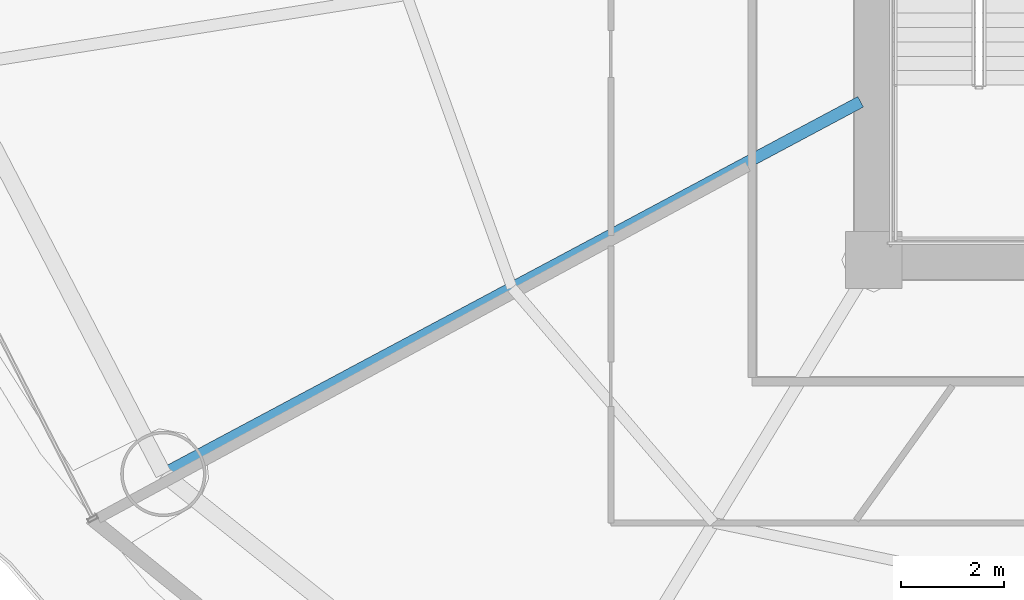
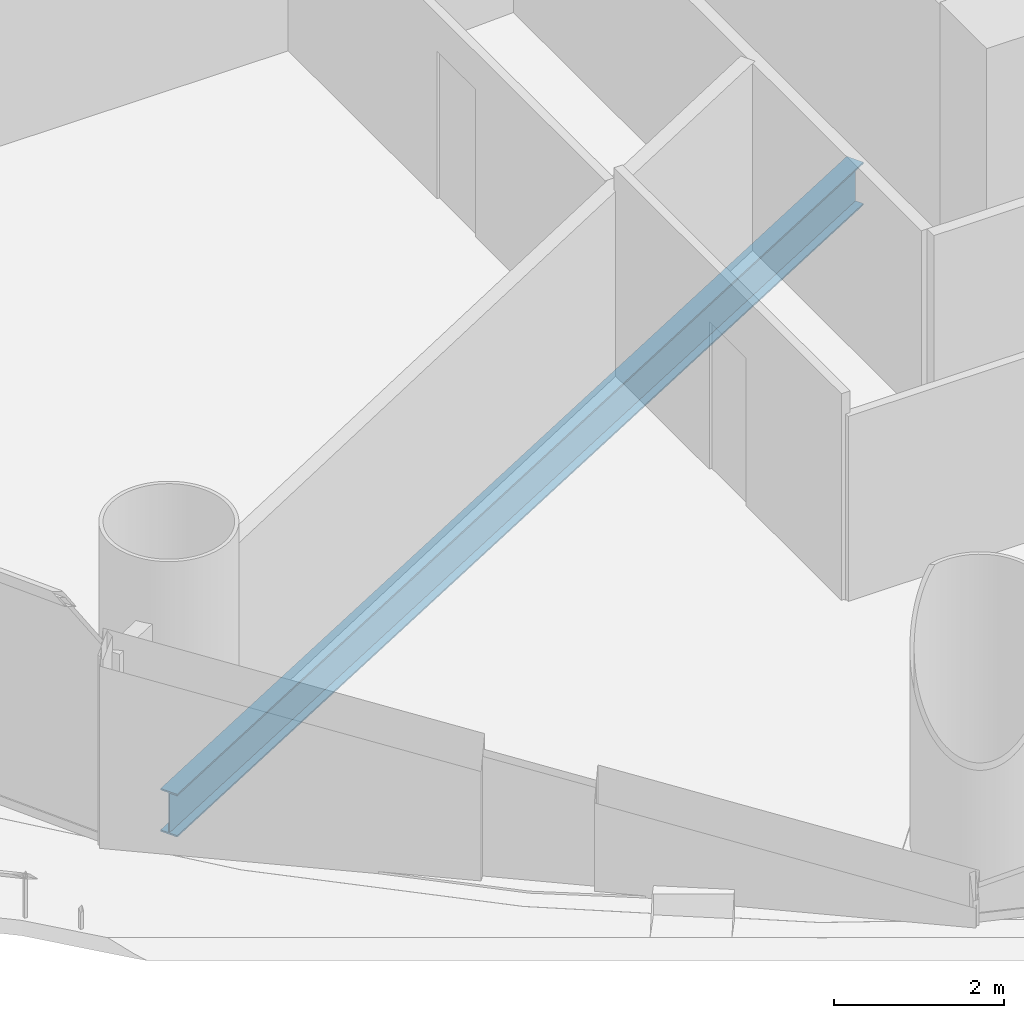
# One storey, part 4 of 30: 1 beam.
"""IFC4 building model written with IfcOpenShell, lengths in metres."""

from ifc_helpers import new_model, si_unit, direction, frame, origin, origin_2d, place, context, subcontext, project, spatial, i_section, extrude, material, material_profile, profile_set, type_object, element, save


model = new_model("IFC4")

# Units and contexts
model_context = context("Model", 3, precision=1e-05, world=origin(), true_north=direction((-0.2419218956, 0.970295726276)))
body_context = subcontext(model_context, "Body", "Model", "MODEL_VIEW")
ifc_project = project(units=[si_unit("LENGTHUNIT", "METRE"), si_unit("AREAUNIT", "SQUARE_METRE"), si_unit("VOLUMEUNIT", "CUBIC_METRE"), si_unit("PLANEANGLEUNIT", "RADIAN"), si_unit("MASSUNIT", "GRAM", prefix="KILO")], contexts=[model_context])

# Site, building, storey
site_placement = place(None, origin())
site = spatial("IfcSite", under=ifc_project, at=site_placement, CompositionType="ELEMENT")
building_placement = place(site_placement, origin())
building = spatial("IfcBuilding", under=site, at=building_placement, Name="Cobrevalo Terracotta Tower", CompositionType="ELEMENT")
storey_placement = place(building_placement, frame((0.0, 0.0, 63.60009765625)))
storey = spatial("IfcBuildingStorey", under=building, at=storey_placement, Name="L16", CompositionType="ELEMENT", Elevation=63.60009765625)

# Beam
ifc_material = material(Name="Steel S355", Category="steel")
ifc_material_profile = material_profile(ifc_material, i_section(OverallWidth=0.22998046875, OverallDepth=0.616943359375, WebThickness=0.01318359375, FlangeThickness=0.022216796875, at=origin_2d()), Name="W 610x140")
ifc_profile_set = profile_set([ifc_material_profile], Name="Steel S355")
beam_type = type_object("IfcBeamType", Name="Structural Beam W 610x140 (Steel S355)", PredefinedType="BEAM", material=ifc_profile_set)
beam_placement = place(storey_placement, frame((15.25927734375, 14.660888671875, -0.588623046875), z_axis=(0.88218223571, 0.470908168329, 0.0), x_axis=(-0.470908168329, 0.88218223571, 0.0)))
element("IfcBeam", 1, at=beam_placement, inside=storey, type_object=beam_type, Name="L16 radial floor girder 10", PredefinedType="BEAM", context=body_context, shape_type="SweptSolid", body=[
    extrude(i_section(OverallWidth=0.22998046875, OverallDepth=0.616943359375, WebThickness=0.01318359375, FlangeThickness=0.022216796875, at=origin_2d()), origin(), (0.0, 0.0, 1.0), 15.286865234375),
])

save(model, "model.ifc")
